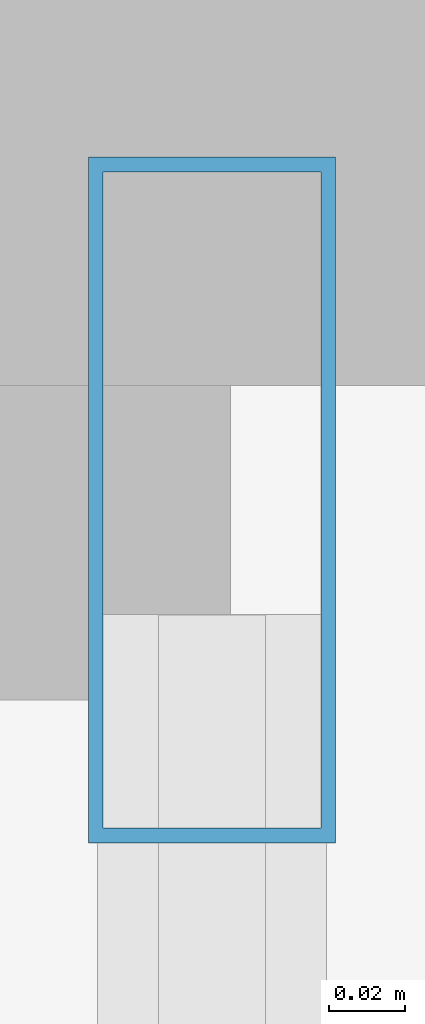
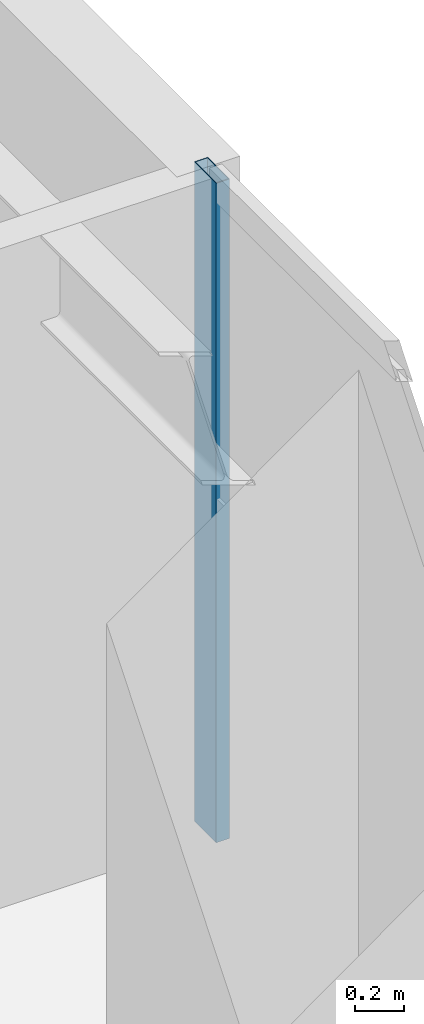
# One storey, part 7 of 16: 1 member, 1 element without a shape of its own.
"""IFC4 building model written with IfcOpenShell, lengths in metres."""

from ifc_helpers import new_model, si_unit, direction, frame, origin, origin_2d, place, context, subcontext, project, spatial, hollow_rectangle, extrude, source, transform, mapped, material, layer, layer_set, material_profile, profile_set, type_object, element, aggregate, save


model = new_model("IFC4")

# Units and contexts
model_context = context("Model", 3, precision=1e-05, world=origin(), true_north=direction((0.0, 1.0)))
body_context = subcontext(model_context, "Body", "Model", "MODEL_VIEW")
ifc_project = project(units=[si_unit("LENGTHUNIT", "METRE"), si_unit("AREAUNIT", "SQUARE_METRE"), si_unit("VOLUMEUNIT", "CUBIC_METRE"), si_unit("PLANEANGLEUNIT", "RADIAN"), si_unit("MASSUNIT", "GRAM", prefix="KILO")], contexts=[model_context])

# Site, building, storey
site_placement = place(None, origin())
site = spatial("IfcSite", under=ifc_project, at=site_placement, CompositionType="ELEMENT")
building_placement = place(site_placement, origin())
building = spatial("IfcBuilding", under=site, at=building_placement, Name="Khoralis Quay Care Tower", CompositionType="ELEMENT")
storey_placement = place(building_placement, frame((0.0, 0.0, 29.699951171875)))
storey = spatial("IfcBuildingStorey", under=building, at=storey_placement, Name="L07", CompositionType="ELEMENT", Elevation=29.699951171875)

# Curtain wall, member
ifc_material = material(Name="Pale anodised aluminium", Category="aluminium")
ifc_layer = layer(ifc_material, 0.179931640625)
ifc_layer_set = layer_set([ifc_layer], Name="Pale anodised aluminium")
curtain_wall_type = type_object("IfcCurtainWallType", Name="CW-SYS-Z1", PredefinedType="NOTDEFINED", material=ifc_layer_set)
curtain_wall_placement = place(storey_placement, origin())
curtain_wall = element("IfcCurtainWall", 1, at=curtain_wall_placement, inside=storey, type_object=curtain_wall_type, Name="L07 Unitised Curtain Wall CW-L07-P1-E5", PredefinedType="NOTDEFINED")
ifc_material_profile = material_profile(ifc_material, hollow_rectangle(XDim=0.06494140625, YDim=0.179931640625, WallThickness=0.00390625, at=origin_2d()), Name="Pale anodised aluminium")
ifc_profile_set = profile_set([ifc_material_profile], Name="Pale anodised aluminium")
member_type = type_object("IfcMemberType", Name="CW-MUL-180", PredefinedType="MULLION", material=ifc_profile_set)
shared_shape = source(origin(), body_context, "Body", "SweptSolid", [
    extrude(hollow_rectangle(XDim=0.06494140625, YDim=0.179931640625, WallThickness=0.00390625, at=origin_2d()), origin(), (0.0, 0.0, 1.0), 3.320068359375),
])
member_placement = place(storey_placement, frame((47.85009765625, 32.070068359375, 0.0), z_axis=(0.0, 0.0, 1.0), x_axis=(-1.0, 0.0, 0.0)))
member = element("IfcMember", 2, at=member_placement, type_object=member_type, Name="CW1 mullion 5", PredefinedType="MULLION", context=body_context, shape_type="MappedRepresentation", body=[
    mapped(shared_shape, transform((0.0, 0.0, 0.0), scale=1.0)),
])
aggregate(curtain_wall, [member])

save(model, "model.ifc")
